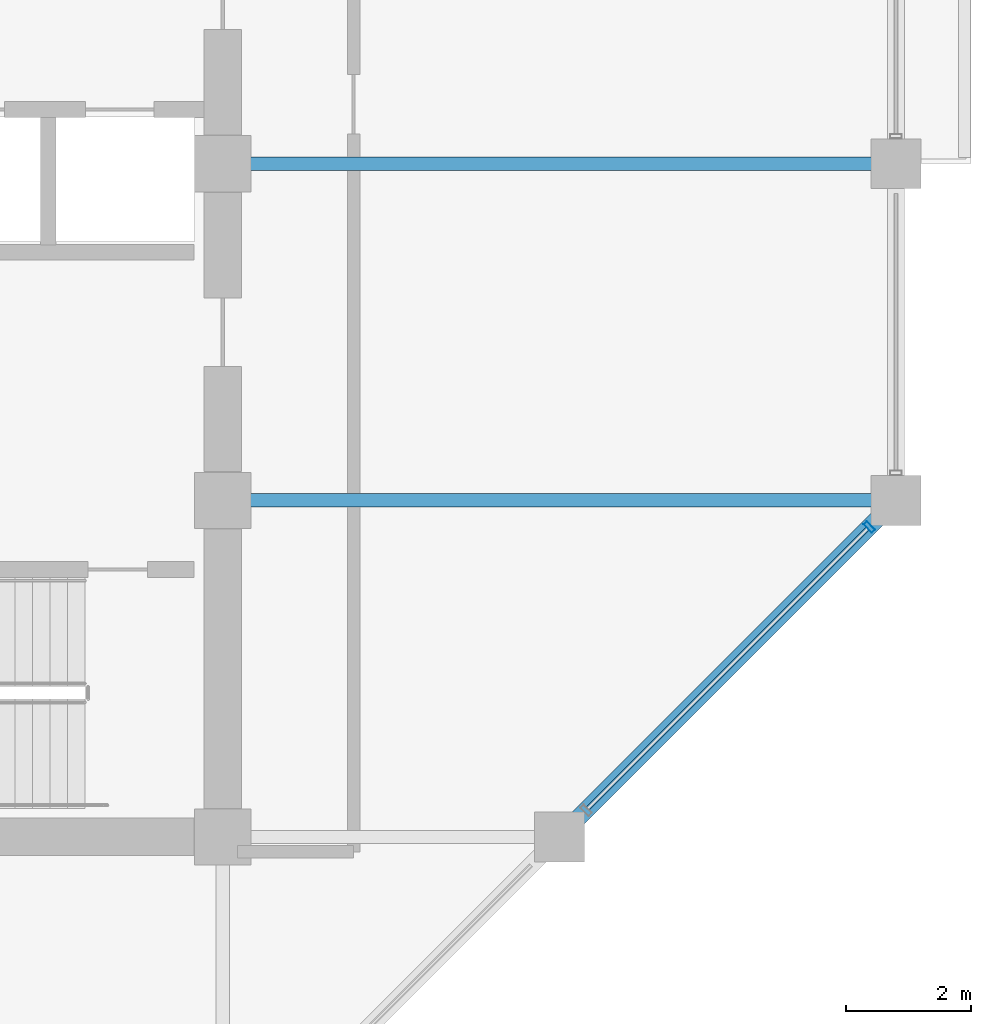
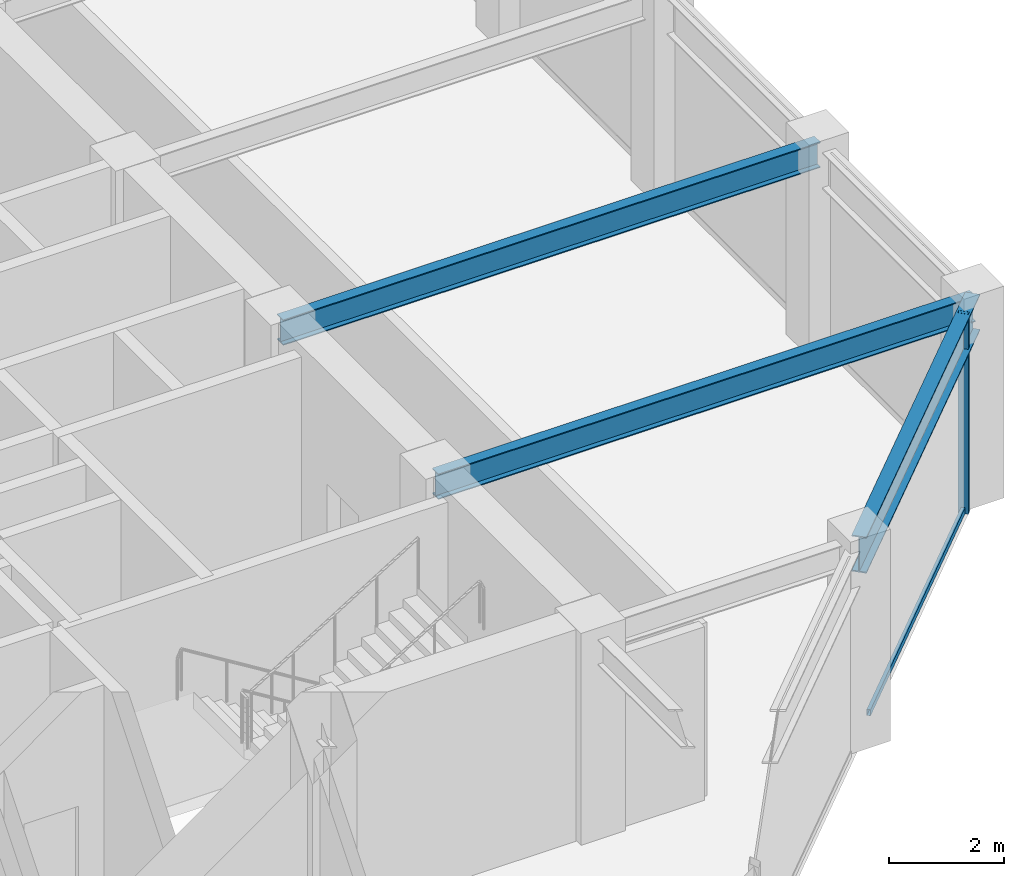
# One storey, part 11 of 28: 3 beams, 2 members, 1 element without a shape of its own.
"""IFC4 building model written with IfcOpenShell, lengths in metres."""

from ifc_helpers import new_model, si_unit, direction, frame, origin, origin_2d, place, context, subcontext, project, spatial, hollow_rectangle, i_section, extrude, material, layer, layer_set, material_profile, profile_set, type_object, element, aggregate, save


model = new_model("IFC4")

# Units and contexts
model_context = context("Model", 3, precision=1e-05, world=origin(), true_north=direction((0.0, 1.0)))
body_context = subcontext(model_context, "Body", "Model", "MODEL_VIEW")
ifc_project = project(units=[si_unit("LENGTHUNIT", "METRE"), si_unit("AREAUNIT", "SQUARE_METRE"), si_unit("VOLUMEUNIT", "CUBIC_METRE"), si_unit("PLANEANGLEUNIT", "RADIAN"), si_unit("MASSUNIT", "GRAM", prefix="KILO")], contexts=[model_context])

# Site, building, storey
site_placement = place(None, origin())
site = spatial("IfcSite", under=ifc_project, at=site_placement, CompositionType="ELEMENT")
building_placement = place(site_placement, origin())
building = spatial("IfcBuilding", under=site, at=building_placement, Name="Surkhivell Harbour Commons", CompositionType="ELEMENT")
storey_placement = place(building_placement, frame((0.0, 0.0, 249.75)))
storey = spatial("IfcBuildingStorey", under=building, at=storey_placement, Name="L65", CompositionType="ELEMENT", Elevation=249.75)

# Beams
ifc_material_1 = material(Name="Steel S355", Category="steel")
ifc_material_profile_1 = material_profile(ifc_material_1, i_section(OverallWidth=0.2119140625, OverallDepth=0.5439453125, WebThickness=0.0126953125, FlangeThickness=0.021240234375, at=origin_2d()), Name="UB533x210x122")
ifc_profile_set_1 = profile_set([ifc_material_profile_1], Name="Steel S355")
beam_type_1 = type_object("IfcBeamType", Name="BM-GRD-533A", PredefinedType="BEAM", material=ifc_profile_set_1)
for number, where, z_axis, x_axis, name in (
    (1, (10.800048828125, -5.39990234375, 3.97802734375), (1.0, 0.0, 0.0), (0.0, 1.0, 0.0), "L65 Floor Girder (10.8,-5.4)"),
    (2, (10.800048828125, 0.0, 3.97802734375), (1.0, 0.0, 0.0), (0.0, 1.0, 0.0), "L65 Floor Girder (10.8,0.0)"),
):
    element("IfcBeam", number, at=place(storey_placement, frame(where, z_axis=z_axis, x_axis=x_axis)), inside=storey, type_object=beam_type_1, Name=name, PredefinedType="BEAM", context=body_context, shape_type="SweptSolid", body=[
        extrude(i_section(OverallWidth=0.2119140625, OverallDepth=0.5439453125, WebThickness=0.0126953125, FlangeThickness=0.021240234375, at=origin_2d()), origin(), (0.0, 0.0, 1.0), 10.800048828125),
    ])
ifc_material_profile_2 = material_profile(ifc_material_1, i_section(OverallWidth=0.26806640625, OverallDepth=0.77001953125, WebThickness=0.015625, FlangeThickness=0.025390625, at=origin_2d()), Name="UB762x267x197")
ifc_profile_set_2 = profile_set([ifc_material_profile_2], Name="Steel S355")
beam_type_2 = type_object("IfcBeamType", Name="BM-SPN-762", PredefinedType="SPANDREL", material=ifc_profile_set_2)
beam_placement = place(storey_placement, frame((16.199951171875, -10.800048828125, 3.864990234375), z_axis=(0.707106781187, 0.707106781187, 0.0), x_axis=(-0.707106781187, 0.707106781187, 0.0)))
element("IfcBeam", 3, at=beam_placement, inside=storey, type_object=beam_type_2, Name="L65 Tube Spandrel (16.2,-10.8)", PredefinedType="SPANDREL", context=body_context, shape_type="SweptSolid", body=[
    extrude(i_section(OverallWidth=0.26806640625, OverallDepth=0.77001953125, WebThickness=0.015625, FlangeThickness=0.025390625, at=origin_2d()), origin(), (0.0, 0.0, 1.0), 7.636962890625),
])

# Curtain wall, members
ifc_material_2 = material(Name="Anodised pale-metal aluminium and insulated glazing", Category="aluminium")
ifc_layer = layer(ifc_material_2, 0.18994140625)
ifc_layer_set = layer_set([ifc_layer], Name="Anodised pale-metal aluminium and insulated glazing")
curtain_wall_type = type_object("IfcCurtainWallType", Name="CW-SYS-Z3", PredefinedType="NOTDEFINED", material=ifc_layer_set)
curtain_wall_placement = place(storey_placement, origin())
curtain_wall = element("IfcCurtainWall", 4, at=curtain_wall_placement, inside=storey, type_object=curtain_wall_type, Name="L65 Curtain Wall CW-L65-E01", PredefinedType="NOTDEFINED")
ifc_material_3 = material(Name="Anodised pale-metal aluminium alloy 6063-T6", Category="aluminium")
ifc_material_profile_3 = material_profile(ifc_material_3, hollow_rectangle(XDim=0.074951171875, YDim=0.18994140625, WallThickness=0.00390625, at=origin_2d()), Name="ALU-MULL-75x190")
ifc_profile_set_3 = profile_set([ifc_material_profile_3], Name="Anodised pale-metal aluminium alloy 6063-T6")
member_type_1 = type_object("IfcMemberType", Name="CWM-190", PredefinedType="MULLION", material=ifc_profile_set_3)
member_1_placement = place(storey_placement, frame((21.171875, -5.828125, 0.0), z_axis=(0.0, 0.0, 1.0), x_axis=(0.707106781187, 0.707106781187, 0.0)))
member_1 = element("IfcMember", 5, at=member_1_placement, type_object=member_type_1, Name="CW-Z3 mullion 4", PredefinedType="MULLION", context=body_context, shape_type="SweptSolid", body=[
    extrude(hollow_rectangle(XDim=0.074951171875, YDim=0.18994140625, WallThickness=0.00390625, at=origin_2d()), origin(), (0.0, 0.0, 1.0), 4.25),
])
ifc_material_4 = material(Name="Champagne anodised aluminium alloy 6063-T6", Category="aluminium")
ifc_material_profile_4 = material_profile(ifc_material_4, hollow_rectangle(XDim=0.070068359375, YDim=0.1298828125, WallThickness=0.00341796875, at=origin_2d()), Name="ALU-TRAN-70x130")
ifc_profile_set_4 = profile_set([ifc_material_profile_4], Name="Champagne anodised aluminium alloy 6063-T6")
member_type_2 = type_object("IfcMemberType", Name="CWT-130", PredefinedType="USERDEFINED", material=ifc_profile_set_4)
member_2_placement = place(storey_placement, frame((16.65478515625, -10.34521484375, 0.06494140625), z_axis=(0.707106781187, 0.707106781187, 0.0), x_axis=(-0.707106781187, 0.707106781187, 0.0)))
member_2 = element("IfcMember", 6, at=member_2_placement, type_object=member_type_2, Name="CW-Z3 transom 3.1", ObjectType="TRANSOM", PredefinedType="USERDEFINED", context=body_context, shape_type="SweptSolid", body=[
    extrude(hollow_rectangle(XDim=0.070068359375, YDim=0.1298828125, WallThickness=0.00341796875, at=origin_2d()), origin(), (0.0, 0.0, 1.0), 6.3505859375),
])
aggregate(curtain_wall, [member_1, member_2])

save(model, "model.ifc")
